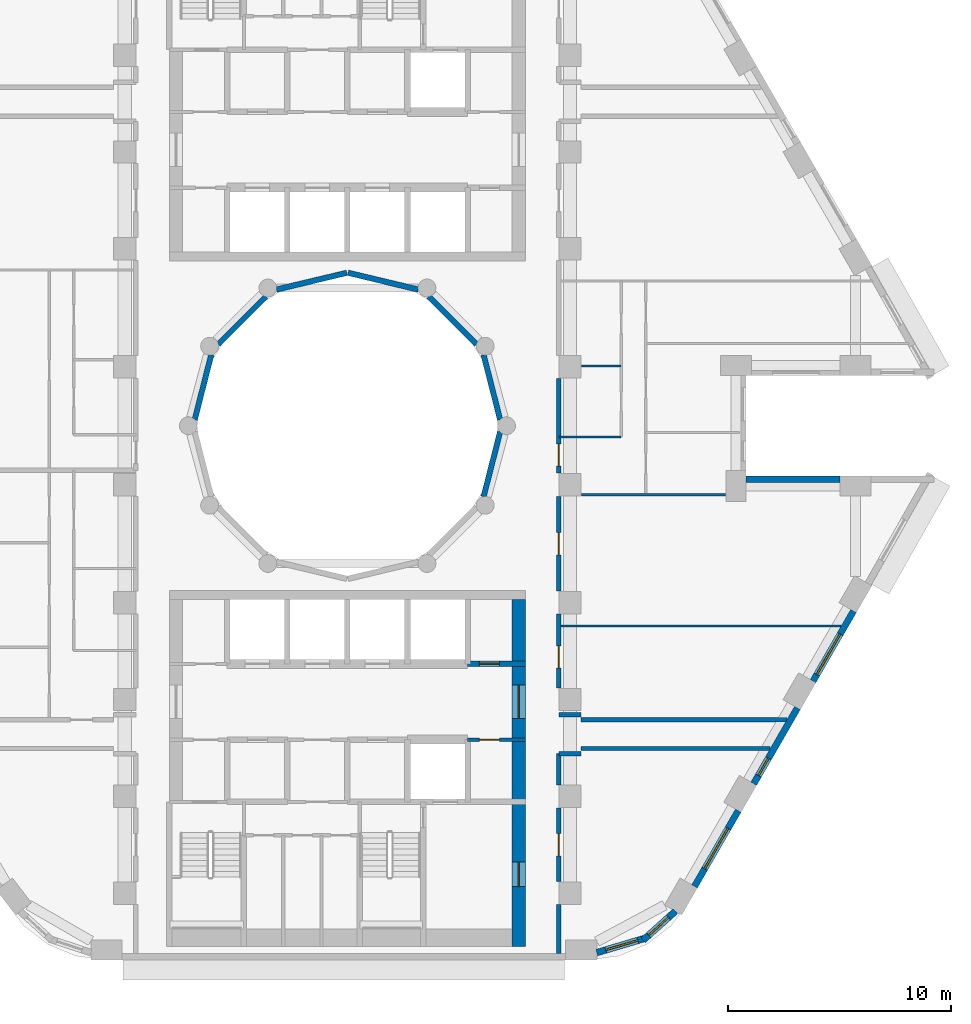
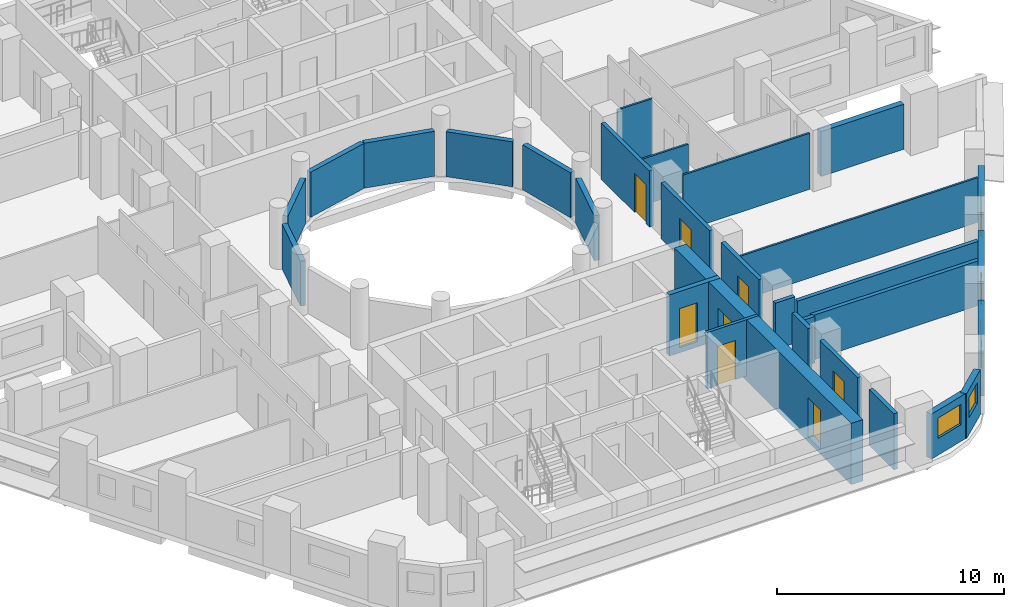
# One storey, part 5 of 12: 30 walls, 8 doors, 5 windows, 13 openings.
"""IFC4 building model written with IfcOpenShell, lengths in metres."""

import ifcopenshell
import ifcopenshell.guid

model = None  # the IFC model being written
_history = None  # IfcOwnerHistory: only IFC2X3 demands one
_inside = {}  # id of a spatial element -> (the spatial element, [elements in it])
_under = {}  # id of a project, library or spatial element -> (it, [spatial elements below it])
_declared = {}  # id of a project -> (the project, [libraries it declares])
_typed = {}  # id of a type object -> (the type object, [elements of that type])
_made_of = {}  # id of a material, layer set ... -> (it, [elements and type objects made of it])


def new_model(schema):
    """Start an empty IFC model of exactly this schema.

    Asked for "IFC4X3", IfcOpenShell would pick the latest addendum, in which some entities
    have other attributes; the version numbers below select the first issue.
    IFC2X3 requires an IfcOwnerHistory on every rooted entity: one is made here for all.
    """
    global model, _history
    if schema == "IFC4X3":
        model = ifcopenshell.file(schema_version=(4, 3, 0, 0))
    else:
        model = ifcopenshell.file(schema=schema)
    _inside.clear()
    _under.clear()
    _declared.clear()
    _typed.clear()
    _made_of.clear()
    _history = None
    if model.schema == "IFC2X3":
        org = make("IfcOrganization", Name="unknown")
        user = make(
            "IfcPersonAndOrganization",
            ThePerson=make("IfcPerson", FamilyName="unknown"),
            TheOrganization=org,
        )
        app = make(
            "IfcApplication",
            ApplicationDeveloper=org,
            Version="unknown",
            ApplicationFullName="unknown",
            ApplicationIdentifier="unknown",
        )
        _history = make(
            "IfcOwnerHistory",
            OwningUser=user,
            OwningApplication=app,
            ChangeAction="ADDED",
            CreationDate=0,
        )
    return model


def make(cls, **values):
    """One entity of the class cls with the attributes given. An attribute that is None is left unset."""
    return model.create_entity(
        cls, **{name: value for name, value in values.items() if value is not None}
    )


def rooted(cls, **values):
    """An entity with a GlobalId (a new one), such as an element, a storey or a relation."""
    return make(cls, GlobalId=ifcopenshell.guid.new(), OwnerHistory=_history, **values)


def si_unit(unit_type, name, prefix=None):
    """IfcSIUnit, for example si_unit("LENGTHUNIT", "METRE", prefix="MILLI")."""
    return make("IfcSIUnit", UnitType=unit_type, Prefix=prefix, Name=name)


def assignment(units):
    """IfcUnitAssignment: the units of a project."""
    return None if units is None else make("IfcUnitAssignment", Units=units)


def point(xyz):
    """IfcCartesianPoint."""
    return None if xyz is None else make("IfcCartesianPoint", Coordinates=xyz)


def direction(xyz):
    """IfcDirection."""
    return None if xyz is None else make("IfcDirection", DirectionRatios=xyz)


def frame(location, z_axis=None, x_axis=None):
    """IfcAxis2Placement3D, a coordinate frame: its origin and axes. An axis left out is left unset."""
    return make(
        "IfcAxis2Placement3D",
        Location=point(location),
        Axis=direction(z_axis),
        RefDirection=direction(x_axis),
    )


def frame_2d(location, x_axis=None):
    """IfcAxis2Placement2D, a coordinate frame in the plane: its origin and x axis."""
    return make(
        "IfcAxis2Placement2D", Location=point(location), RefDirection=direction(x_axis)
    )


def origin():
    """The frame at (0, 0, 0) with its axes left unset."""
    return frame((0.0, 0.0, 0.0))


def place(relative_to, where):
    """IfcLocalPlacement: puts the frame where relative to a parent placement (None: the world)."""
    return make(
        "IfcLocalPlacement", PlacementRelTo=relative_to, RelativePlacement=where
    )


def context(
    kind, dimensions, precision=None, world=None, true_north=None, identifier=None
):
    """IfcGeometricRepresentationContext, for example the 3D "Model" context."""
    return make(
        "IfcGeometricRepresentationContext",
        ContextIdentifier=identifier,
        ContextType=kind,
        CoordinateSpaceDimension=dimensions,
        Precision=precision,
        WorldCoordinateSystem=world,
        TrueNorth=true_north,
    )


def subcontext(parent, identifier, kind, view, scale=None):
    """IfcGeometricRepresentationSubContext, for example "Body" below "Model"."""
    return make(
        "IfcGeometricRepresentationSubContext",
        ContextIdentifier=identifier,
        ContextType=kind,
        ParentContext=parent,
        TargetScale=scale,
        TargetView=view,
    )


def project(units=None, contexts=None):
    """IfcProject with its units and contexts."""
    return rooted(
        "IfcProject",
        Name="project",
        RepresentationContexts=contexts,
        UnitsInContext=assignment(units),
    )


def spatial(cls, under=None, at=None, **own):
    """A site, building, storey or space (cls), placed at a placement, below another one or the project."""
    s = rooted(cls, ObjectPlacement=at, **own)
    if under is not None:
        _under.setdefault(under.id(), (under, []))[1].append(s)
    return s


def profile(cls, at=None, kind="AREA", **sizes):
    """A parametric profile (cls). Its sizes go by their IFC names, for example OverallWidth=200.0."""
    return make(cls, ProfileType=kind, Position=at, **sizes)


def rectangle(**sizes):
    """IfcRectangleProfileDef."""
    return profile("IfcRectangleProfileDef", **sizes)


def extrude(swept, where, along, depth):
    """IfcExtrudedAreaSolid: the profile swept, set in the frame where, extruded along a direction by depth."""
    return make(
        "IfcExtrudedAreaSolid",
        SweptArea=swept,
        Position=where,
        ExtrudedDirection=direction(along),
        Depth=depth,
    )


def shape(context_of_items, identifier, shape_type, items):
    """IfcShapeRepresentation: the items that make up one representation, for example the "Body"."""
    return make(
        "IfcShapeRepresentation",
        ContextOfItems=context_of_items,
        RepresentationIdentifier=identifier,
        RepresentationType=shape_type,
        Items=items,
    )


def material(Name=None, Category=None):
    """IfcMaterial."""
    return make("IfcMaterial", Name=Name, Category=Category)


def layer(
    of_material, thickness, ventilated=None, Name=None, Category=None, Priority=None
):
    """IfcMaterialLayer: one layer of a wall or slab, of a material (None: an air gap)."""
    return make(
        "IfcMaterialLayer",
        Material=of_material,
        LayerThickness=thickness,
        IsVentilated=ventilated,
        Name=Name,
        Category=Category,
        Priority=Priority,
    )


def layer_set(layers, Name=None):
    """IfcMaterialLayerSet."""
    return make("IfcMaterialLayerSet", MaterialLayers=layers, LayerSetName=Name)


def made_of(thing, what):
    """Note that an element or type object is made of a material, layer set ...; save() writes the relation."""
    if what is not None:
        _made_of.setdefault(what.id(), (what, []))[1].append(thing)
    return thing


def type_object(cls, material=None, **own):
    """A type object (cls), such as IfcWallType, which elements share."""
    return made_of(rooted(cls, **own), material)


def element(
    cls,
    number,
    at=None,
    inside=None,
    cuts=None,
    type_object=None,
    material=None,
    context=None,
    identifier="Body",
    shape_type=None,
    held_by="IfcProductDefinitionShape",
    body=None,
    shapes=None,
    **own,
):
    """One element of the class cls, such as IfcWall. Its Tag is "e" and its number.

    at: its placement. inside: the storey or other place that contains it. cuts: it is an
    opening in that element (IfcRelVoidsElement). A single representation is given by context,
    identifier, shape_type and body (its items); several are given by shapes. held_by: the class
    of the entity that holds the representations. save() writes the other relations.
    """
    e = rooted(cls, Tag="e%d" % number, ObjectPlacement=at, **own)
    if body is not None:
        shapes = [shape(context, identifier, shape_type, body)]
    if shapes is not None:
        e.Representation = make(held_by, Representations=shapes)
    if inside is not None:
        _inside.setdefault(inside.id(), (inside, []))[1].append(e)
    if cuts is not None:
        rooted(
            "IfcRelVoidsElement", RelatingBuildingElement=cuts, RelatedOpeningElement=e
        )
    if type_object is not None:
        _typed.setdefault(type_object.id(), (type_object, []))[1].append(e)
    return made_of(e, material)


def fill(opening, filler):
    """IfcRelFillsElement: the door or window that sits in an opening."""
    return rooted(
        "IfcRelFillsElement",
        RelatingOpeningElement=opening,
        RelatedBuildingElement=filler,
    )


def aggregate(whole, parts):
    """IfcRelAggregates: a whole, such as a stair, and the parts it consists of."""
    return rooted("IfcRelAggregates", RelatingObject=whole, RelatedObjects=parts)


def save(model, path):
    """Write the relations noted so far, then the file.

    IfcRelAggregates (storeys below a building ...), IfcRelContainedInSpatialStructure (elements
    in a storey), IfcRelDefinesByType, IfcRelAssociatesMaterial and IfcRelDeclares: one each for
    every whole, place, type object, material and project.
    """
    for whole, parts in _under.values():
        aggregate(whole, parts)
    for where, things in _inside.values():
        rooted(
            "IfcRelContainedInSpatialStructure",
            RelatedElements=things,
            RelatingStructure=where,
        )
    for kind, things in _typed.values():
        rooted("IfcRelDefinesByType", RelatedObjects=things, RelatingType=kind)
    for what, things in _made_of.values():
        rooted("IfcRelAssociatesMaterial", RelatedObjects=things, RelatingMaterial=what)
    for by, libraries in _declared.values():
        rooted("IfcRelDeclares", RelatingContext=by, RelatedDefinitions=libraries)
    model.write(path)


model = new_model("IFC4")

# Units and contexts
model_context = context("Model", 3, precision=1e-05, world=origin(), true_north=direction((0.0, 1.0)))
body_context = subcontext(model_context, "Body", "Model", "MODEL_VIEW")
ifc_project = project(units=[si_unit("LENGTHUNIT", "METRE"), si_unit("AREAUNIT", "SQUARE_METRE"), si_unit("VOLUMEUNIT", "CUBIC_METRE"), si_unit("PLANEANGLEUNIT", "RADIAN"), si_unit("MASSUNIT", "GRAM", prefix="KILO")], contexts=[model_context])

# Site, building, storey
site_placement = place(None, origin())
site = spatial("IfcSite", under=ifc_project, at=site_placement, CompositionType="ELEMENT")
building_placement = place(site_placement, origin())
building = spatial("IfcBuilding", under=site, at=building_placement, Name="Nakaniwa Court", CompositionType="ELEMENT")
storey_placement = place(building_placement, frame((0.0, 0.0, 97.5)))
storey = spatial("IfcBuildingStorey", under=building, at=storey_placement, Name="L25", CompositionType="ELEMENT", Elevation=97.5)

# Wall
ifc_material_1 = material(Name="Acoustic double stud partition")
ifc_layer_1 = layer(ifc_material_1, 0.199951171875)
ifc_layer_set_1 = layer_set([ifc_layer_1], Name="Acoustic double stud partition")
wall_type_1 = type_object("IfcWallType", Name="Acoustic double stud partition 200", PredefinedType="PARTITIONING", material=ifc_layer_set_1)
wall_1_placement = place(storey_placement, frame((89.5, 56.300048828125, 0.0), z_axis=(0.0, 0.0, 1.0), x_axis=(0.0, 1.0, 0.0)))
element("IfcWall", 1, at=wall_1_placement, inside=storey, type_object=wall_type_1, Name="Partition PW-069", PredefinedType="PARTITIONING", context=body_context, shape_type="SweptSolid", body=[
    extrude(rectangle(XDim=2.182861328125, YDim=0.199951171875, at=frame_2d((1.09130859375, 0.0))), origin(), (0.0, 0.0, 1.0), 3.02490234375),
])

# Wall, opening, door
wall_2_placement = place(storey_placement, frame((89.5, 62.8330078125, 0.0), z_axis=(0.0, 0.0, 1.0), x_axis=(0.0, -1.0, 0.0)))
wall_2 = element("IfcWall", 2, at=wall_2_placement, inside=storey, type_object=wall_type_1, Name="Partition PW-070", PredefinedType="PARTITIONING", context=body_context, shape_type="SweptSolid", body=[
    extrude(rectangle(XDim=3.31591796875, YDim=0.199951171875, at=frame_2d((1.657958984375, 0.0))), origin(), (0.0, 0.0, 1.0), 3.02490234375),
])
opening_1_placement = place(wall_2_placement, frame((1.157958984375, 0.0, 0.0)))
opening_1 = element("IfcOpeningElement", 3, at=opening_1_placement, cuts=wall_2, Name="Opening D-02-05", PredefinedType="OPENING", context=body_context, shape_type="SweptSolid", body=[
    extrude(rectangle(XDim=1.0, YDim=2.10009765625, at=frame_2d((0.5, 1.050048828125))), frame((0.0, 0.10986328125, 0.0), z_axis=(0.0, -1.0, 0.0), x_axis=(1.0, 0.0, 0.0)), (0.0, 0.0, 1.0), 0.219970703125),
])
ifc_material_2 = material(Name="Solid core timber door set, black veneer", Category="wood")
door_type_1 = type_object("IfcDoorType", Name="Internal door 1000", OperationType="NOTDEFINED", PredefinedType="DOOR", material=ifc_material_2)
door_1_placement = place(opening_1_placement, origin())
door_1 = element("IfcDoor", 4, at=door_1_placement, inside=storey, type_object=door_type_1, Name="Door D-02-05 L25-047", OperationType="SINGLE_SWING_RIGHT", OverallHeight=2.10009765625, OverallWidth=1.0, PredefinedType="DOOR", context=body_context, shape_type="SweptSolid", body=[
    extrude(rectangle(XDim=1.0, YDim=2.10009765625, at=frame_2d((0.5, 1.050048828125))), frame((0.0, 0.02490234375, 0.0), z_axis=(0.0, -1.0, 0.0), x_axis=(1.0, 0.0, 0.0)), (0.0, 0.0, 1.0), 0.050048828125),
])
fill(opening_1, door_1)

# Wall
wall_3_placement = place(storey_placement, frame((89.5, 63.866943359375, 0.0), z_axis=(0.0, 0.0, 1.0), x_axis=(0.0, 1.0, 0.0)))
element("IfcWall", 5, at=wall_3_placement, inside=storey, type_object=wall_type_1, Name="Partition PW-071", PredefinedType="PARTITIONING", context=body_context, shape_type="SweptSolid", body=[
    extrude(rectangle(XDim=1.4111328125, YDim=0.199951171875, at=frame_2d((0.70556640625, 0.0))), origin(), (0.0, 0.0, 1.0), 3.02490234375),
])

# Wall, opening, door
wall_4_placement = place(storey_placement, frame((89.5, 71.532958984375, 0.0), z_axis=(0.0, 0.0, 1.0), x_axis=(0.0, -1.0, 0.0)))
wall_4 = element("IfcWall", 6, at=wall_4_placement, inside=storey, type_object=wall_type_1, Name="Partition PW-072", PredefinedType="PARTITIONING", context=body_context, shape_type="SweptSolid", body=[
    extrude(rectangle(XDim=3.31591796875, YDim=0.199951171875, at=frame_2d((1.657958984375, 0.0))), origin(), (0.0, 0.0, 1.0), 3.02490234375),
])
opening_2_placement = place(wall_4_placement, frame((1.423095703125, 0.0, 0.0)))
opening_2 = element("IfcOpeningElement", 7, at=opening_2_placement, cuts=wall_4, Name="Opening D-02-06", PredefinedType="OPENING", context=body_context, shape_type="SweptSolid", body=[
    extrude(rectangle(XDim=1.0, YDim=2.10009765625, at=frame_2d((0.5, 1.050048828125))), frame((0.0, 0.10986328125, 0.0), z_axis=(0.0, -1.0, 0.0), x_axis=(1.0, 0.0, 0.0)), (0.0, 0.0, 1.0), 0.219970703125),
])
door_2_placement = place(opening_2_placement, origin())
door_2 = element("IfcDoor", 8, at=door_2_placement, inside=storey, type_object=door_type_1, Name="Door D-02-06 L25-048", OperationType="SINGLE_SWING_LEFT", OverallHeight=2.10009765625, OverallWidth=1.0, PredefinedType="DOOR", context=body_context, shape_type="SweptSolid", body=[
    extrude(rectangle(XDim=1.0, YDim=2.10009765625, at=frame_2d((0.5, 1.050048828125))), frame((0.0, 0.02490234375, 0.0), z_axis=(0.0, -1.0, 0.0), x_axis=(1.0, 0.0, 0.0)), (0.0, 0.0, 1.0), 0.050048828125),
])
fill(opening_2, door_2)

wall_5_placement = place(storey_placement, frame((89.5, 76.8330078125, 0.0), z_axis=(0.0, 0.0, 1.0), x_axis=(0.0, -1.0, 0.0)))
wall_5 = element("IfcWall", 9, at=wall_5_placement, inside=storey, type_object=wall_type_1, Name="Partition PW-073", PredefinedType="PARTITIONING", context=body_context, shape_type="SweptSolid", body=[
    extrude(rectangle(XDim=4.26611328125, YDim=0.199951171875, at=frame_2d((2.133056640625, 0.0))), origin(), (0.0, 0.0, 1.0), 3.02490234375),
])
opening_3_placement = place(wall_5_placement, frame((1.633056640625, 0.0, 0.0)))
opening_3 = element("IfcOpeningElement", 10, at=opening_3_placement, cuts=wall_5, Name="Opening D-02-01", PredefinedType="OPENING", context=body_context, shape_type="SweptSolid", body=[
    extrude(rectangle(XDim=1.0, YDim=2.10009765625, at=frame_2d((0.5, 1.050048828125))), frame((0.0, 0.10986328125, 0.0), z_axis=(0.0, -1.0, 0.0), x_axis=(1.0, 0.0, 0.0)), (0.0, 0.0, 1.0), 0.219970703125),
])
door_3_placement = place(opening_3_placement, origin())
door_3 = element("IfcDoor", 11, at=door_3_placement, inside=storey, type_object=door_type_1, Name="Door D-02-01 L25-027", OperationType="SINGLE_SWING_RIGHT", OverallHeight=2.10009765625, OverallWidth=1.0, PredefinedType="DOOR", context=body_context, shape_type="SweptSolid", body=[
    extrude(rectangle(XDim=1.0, YDim=2.10009765625, at=frame_2d((0.5, 1.050048828125))), frame((0.0, 0.02490234375, 0.0), z_axis=(0.0, -1.0, 0.0), x_axis=(1.0, 0.0, 0.0)), (0.0, 0.0, 1.0), 0.050048828125),
])
fill(opening_3, door_3)

wall_6_placement = place(storey_placement, frame((89.5, 82.133056640625, 0.0), z_axis=(0.0, 0.0, 1.0), x_axis=(0.0, -1.0, 0.0)))
wall_6 = element("IfcWall", 12, at=wall_6_placement, inside=storey, type_object=wall_type_1, Name="Partition PW-074", PredefinedType="PARTITIONING", context=body_context, shape_type="SweptSolid", body=[
    extrude(rectangle(XDim=4.26611328125, YDim=0.199951171875, at=frame_2d((2.133056640625, 0.0))), origin(), (0.0, 0.0, 1.0), 3.02490234375),
])
opening_4_placement = place(wall_6_placement, frame((2.947998046875, 0.0, 0.0)))
opening_4 = element("IfcOpeningElement", 13, at=opening_4_placement, cuts=wall_6, Name="Opening D-01-01", PredefinedType="OPENING", context=body_context, shape_type="SweptSolid", body=[
    extrude(rectangle(XDim=1.0, YDim=2.10009765625, at=frame_2d((0.5, 1.050048828125))), frame((0.0, 0.10986328125, 0.0), z_axis=(0.0, -1.0, 0.0), x_axis=(1.0, 0.0, 0.0)), (0.0, 0.0, 1.0), 0.219970703125),
])
door_type_2 = type_object("IfcDoorType", Name="Flat entrance door 1000", OperationType="NOTDEFINED", PredefinedType="DOOR", material=ifc_material_2)
door_4_placement = place(opening_4_placement, origin())
door_4 = element("IfcDoor", 14, at=door_4_placement, inside=storey, type_object=door_type_2, Name="Door D-01-01 L25-028", OperationType="SINGLE_SWING_LEFT", OverallHeight=2.10009765625, OverallWidth=1.0, PredefinedType="DOOR", context=body_context, shape_type="SweptSolid", body=[
    extrude(rectangle(XDim=1.0, YDim=2.10009765625, at=frame_2d((0.5, 1.050048828125))), frame((0.0, 0.02490234375, 0.0), z_axis=(0.0, -1.0, 0.0), x_axis=(1.0, 0.0, 0.0)), (0.0, 0.0, 1.0), 0.050048828125),
])
fill(opening_4, door_4)

# Walls
wall_7_placement = place(storey_placement, frame((90.5, 65.5, 0.0), z_axis=(0.0, 0.0, 1.0), x_axis=(1.0, 0.0, 0.0)))
element("IfcWall", 15, at=wall_7_placement, inside=storey, type_object=wall_type_1, Name="Partition PW-090", PredefinedType="PARTITIONING", context=body_context, shape_type="SweptSolid", body=[
    extrude(rectangle(XDim=8.494873046875, YDim=0.199951171875, at=frame_2d((4.24755859375, 0.0))), origin(), (0.0, 0.0, 1.0), 2.405029296875),
])
for number, where, z_axis, x_axis, name in (
    (16, (89.5, 65.27490234375, 0.0), (0.0, 0.0, 1.0), (1.0, 0.0, 0.0), "Partition PW-092"),
    (17, (89.5, 67.02490234375, 0.0), (0.0, 0.0, 1.0), (1.0, 0.0, 0.0), "Partition PW-094"),
):
    element("IfcWall", number, at=place(storey_placement, frame(where, z_axis=z_axis, x_axis=x_axis)), inside=storey, type_object=wall_type_1, Name=name, PredefinedType="PARTITIONING", context=body_context, shape_type="SweptSolid", body=[
        extrude(rectangle(XDim=1.0, YDim=0.199951171875, at=frame_2d((0.5, 0.0))), origin(), (0.0, 0.0, 1.0), 2.5048828125),
    ])
wall_8_placement = place(storey_placement, frame((90.5, 66.800048828125, 0.0), z_axis=(0.0, 0.0, 1.0), x_axis=(1.0, 0.0, 0.0)))
element("IfcWall", 18, at=wall_8_placement, inside=storey, type_object=wall_type_1, Name="Partition PW-096", PredefinedType="PARTITIONING", context=body_context, shape_type="SweptSolid", body=[
    extrude(rectangle(XDim=9.245361328125, YDim=0.199951171875, at=frame_2d((4.62255859375, 0.0))), origin(), (0.0, 0.0, 1.0), 2.405029296875),
])

# Wall, opening, window
ifc_material_3 = material(Name="Charcoal ceramic cladding")
ifc_layer_2 = layer(ifc_material_3, 0.02, Name="Ceramic cladding")
ifc_material_4 = material(Name="Ventilated air cavity")
ifc_layer_3 = layer(ifc_material_4, 0.04, ventilated=True, Name="Ventilated cavity")
ifc_material_5 = material(Name="Mineral wool insulation")
ifc_layer_4 = layer(ifc_material_5, 0.1, Name="Insulation")
ifc_material_6 = material(Name="Cement bonded sheathing board")
ifc_layer_5 = layer(ifc_material_6, 0.012, Name="Sheathing")
ifc_material_7 = material(Name="Cold-formed galvanised stud frame with mineral wool infill")
ifc_layer_6 = layer(ifc_material_7, 0.1, Name="Stud frame")
ifc_material_8 = material(Name="Fire-rated gypsum plasterboard lining")
ifc_layer_7 = layer(ifc_material_8, 0.028, Name="Lining")
ifc_layer_set_2 = layer_set([ifc_layer_2, ifc_layer_3, ifc_layer_4, ifc_layer_5, ifc_layer_6, ifc_layer_7], Name="Charcoal ceramic faced external wall system")
wall_type_2 = type_object("IfcWallType", Name="Black ceramic faced external wall 300", PredefinedType="SOLIDWALL", material=ifc_layer_set_2)
wall_9_placement = place(storey_placement, frame((91.203369140625, 56.329833984375, 0.0), z_axis=(0.0, 0.0, 1.0), x_axis=(0.95847736903, 0.285168604614, 0.0)))
wall_9 = element("IfcWall", 19, at=wall_9_placement, inside=storey, type_object=wall_type_2, Name="L25 external wall 27", PredefinedType="SOLIDWALL", context=body_context, shape_type="SweptSolid", body=[
    extrude(rectangle(XDim=2.261962890625, YDim=0.300048828125, at=frame_2d((1.130859375, 0.0))), origin(), (0.0, 0.0, 1.0), 2.425048828125),
])
opening_5_placement = place(wall_9_placement, frame((0.418701171875, 0.0, 0.89990234375)))
opening_5 = element("IfcOpeningElement", 20, at=opening_5_placement, cuts=wall_9, Name="Opening W5.29", PredefinedType="OPENING", context=body_context, shape_type="SweptSolid", body=[
    extrude(rectangle(XDim=1.5, YDim=1.10009765625, at=frame_2d((0.75, 0.550048828125))), frame((0.0, 0.159912109375, 0.0), z_axis=(0.0, -1.0, 0.0), x_axis=(1.0, 0.0, 0.0)), (0.0, 0.0, 1.0), 0.320068359375),
])
ifc_material_9 = material(Name="Black anodised aluminium frame with dark low-E laminated double glazing", Category="aluminium")
window_type_1 = type_object("IfcWindowType", Name="Dark glass window 1500x1100 sill 900", PartitioningType="SINGLE_PANEL", PredefinedType="WINDOW", material=ifc_material_9)
window_1_placement = place(opening_5_placement, origin())
window_1 = element("IfcWindow", 21, at=window_1_placement, inside=storey, type_object=window_type_1, Name="L25 habitable room window 27-0", OverallHeight=1.10009765625, OverallWidth=1.5, PartitioningType="SINGLE_PANEL", PredefinedType="WINDOW", context=body_context, shape_type="SweptSolid", body=[
    extrude(rectangle(XDim=1.5, YDim=1.10009765625, at=frame_2d((0.75, 0.550048828125))), frame((0.0, 0.030029296875, 0.0), z_axis=(0.0, -1.0, 0.0), x_axis=(1.0, 0.0, 0.0)), (0.0, 0.0, 1.0), 0.06005859375),
])
fill(opening_5, window_1)

wall_10_placement = place(storey_placement, frame((93.283447265625, 56.88671875, 0.0), z_axis=(0.0, 0.0, 1.0), x_axis=(0.743785734967, 0.668418117992, 0.0)))
wall_10 = element("IfcWall", 22, at=wall_10_placement, inside=storey, type_object=wall_type_2, Name="L25 external wall 28", PredefinedType="SOLIDWALL", context=body_context, shape_type="SweptSolid", body=[
    extrude(rectangle(XDim=1.9501953125, YDim=0.300048828125, at=frame_2d((0.97509765625, 0.0))), origin(), (0.0, 0.0, 1.0), 2.425048828125),
])
opening_6_placement = place(wall_10_placement, frame((0.334716796875, 0.0, 0.89990234375)))
opening_6 = element("IfcOpeningElement", 23, at=opening_6_placement, cuts=wall_10, Name="Opening W6.30", PredefinedType="OPENING", context=body_context, shape_type="SweptSolid", body=[
    extrude(rectangle(XDim=1.199951171875, YDim=1.10009765625, at=frame_2d((0.60009765625, 0.550048828125))), frame((0.0, 0.159912109375, 0.0), z_axis=(0.0, -1.0, 0.0), x_axis=(1.0, 0.0, 0.0)), (0.0, 0.0, 1.0), 0.320068359375),
])
window_type_2 = type_object("IfcWindowType", Name="Dark glass window 1200x1100 sill 900", PartitioningType="SINGLE_PANEL", PredefinedType="WINDOW", material=ifc_material_9)
window_2_placement = place(opening_6_placement, origin())
window_2 = element("IfcWindow", 24, at=window_2_placement, inside=storey, type_object=window_type_2, Name="L25 habitable room window 28-0", OverallHeight=1.10009765625, OverallWidth=1.199951171875, PartitioningType="SINGLE_PANEL", PredefinedType="WINDOW", context=body_context, shape_type="SweptSolid", body=[
    extrude(rectangle(XDim=1.199951171875, YDim=1.10009765625, at=frame_2d((0.60009765625, 0.550048828125))), frame((0.0, 0.030029296875, 0.0), z_axis=(0.0, -1.0, 0.0), x_axis=(1.0, 0.0, 0.0)), (0.0, 0.0, 1.0), 0.06005859375),
])
fill(opening_6, window_2)

wall_11_placement = place(storey_placement, frame((95.59033203125, 59.30322265625, 0.0), z_axis=(0.0, 0.0, 1.0), x_axis=(0.500003583557, 0.866023334807, 0.0)))
wall_11 = element("IfcWall", 25, at=wall_11_placement, inside=storey, type_object=wall_type_2, Name="L25 external wall 29", PredefinedType="SOLIDWALL", context=body_context, shape_type="SweptSolid", body=[
    extrude(rectangle(XDim=3.93408203125, YDim=0.300048828125, at=frame_2d((1.967041015625, 0.0))), origin(), (0.0, 0.0, 1.0), 2.425048828125),
])
opening_7_placement = place(wall_11_placement, frame((0.9169921875, 0.0, 0.89990234375)))
opening_7 = element("IfcOpeningElement", 26, at=opening_7_placement, cuts=wall_11, Name="Opening W7.31", PredefinedType="OPENING", context=body_context, shape_type="SweptSolid", body=[
    extrude(rectangle(XDim=2.10009765625, YDim=1.10009765625, at=frame_2d((1.050048828125, 0.550048828125))), frame((0.0, 0.159912109375, 0.0), z_axis=(0.0, -1.0, 0.0), x_axis=(1.0, 0.0, 0.0)), (0.0, 0.0, 1.0), 0.320068359375),
])
window_type_3 = type_object("IfcWindowType", Name="Dark glass window 2100x1100 sill 900", PartitioningType="SINGLE_PANEL", PredefinedType="WINDOW", material=ifc_material_9)
window_3_placement = place(opening_7_placement, origin())
window_3 = element("IfcWindow", 27, at=window_3_placement, inside=storey, type_object=window_type_3, Name="L25 habitable room window 29-0", OverallHeight=1.10009765625, OverallWidth=2.10009765625, PartitioningType="SINGLE_PANEL", PredefinedType="WINDOW", context=body_context, shape_type="SweptSolid", body=[
    extrude(rectangle(XDim=2.10009765625, YDim=1.10009765625, at=frame_2d((1.050048828125, 0.550048828125))), frame((0.0, 0.030029296875, 0.0), z_axis=(0.0, -1.0, 0.0), x_axis=(1.0, 0.0, 0.0)), (0.0, 0.0, 1.0), 0.06005859375),
])
fill(opening_7, window_3)

wall_12_placement = place(storey_placement, frame((98.25341796875, 63.91552734375, 0.0), z_axis=(0.0, 0.0, 1.0), x_axis=(0.499957037901, 0.866050206543, 0.0)))
wall_12 = element("IfcWall", 28, at=wall_12_placement, inside=storey, type_object=wall_type_2, Name="L25 external wall 30", PredefinedType="SOLIDWALL", context=body_context, shape_type="SweptSolid", body=[
    extrude(rectangle(XDim=3.933837890625, YDim=0.300048828125, at=frame_2d((1.966796875, 0.0))), origin(), (0.0, 0.0, 1.0), 2.425048828125),
])
opening_8_placement = place(wall_12_placement, frame((0.427734375, 0.0, 0.89990234375)))
opening_8 = element("IfcOpeningElement", 29, at=opening_8_placement, cuts=wall_12, Name="Opening W9.32", PredefinedType="OPENING", context=body_context, shape_type="SweptSolid", body=[
    extrude(rectangle(XDim=0.89990234375, YDim=1.10009765625, at=frame_2d((0.449951171875, 0.550048828125))), frame((0.0, 0.159912109375, 0.0), z_axis=(0.0, -1.0, 0.0), x_axis=(1.0, 0.0, 0.0)), (0.0, 0.0, 1.0), 0.320068359375),
])
window_type_4 = type_object("IfcWindowType", Name="Dark glass window 900x1100 sill 900", PartitioningType="SINGLE_PANEL", PredefinedType="WINDOW", material=ifc_material_9)
window_4_placement = place(opening_8_placement, origin())
window_4 = element("IfcWindow", 30, at=window_4_placement, inside=storey, type_object=window_type_4, Name="L25 habitable room window 30-0", OverallHeight=1.10009765625, OverallWidth=0.89990234375, PartitioningType="SINGLE_PANEL", PredefinedType="WINDOW", context=body_context, shape_type="SweptSolid", body=[
    extrude(rectangle(XDim=0.89990234375, YDim=1.10009765625, at=frame_2d((0.449951171875, 0.550048828125))), frame((0.0, 0.030029296875, 0.0), z_axis=(0.0, -1.0, 0.0), x_axis=(1.0, 0.0, 0.0)), (0.0, 0.0, 1.0), 0.06005859375),
])
fill(opening_8, window_4)

wall_13_placement = place(storey_placement, frame((100.916259765625, 68.528076171875, 0.0), z_axis=(0.0, 0.0, 1.0), x_axis=(0.500009139881, 0.866020126807, 0.0)))
wall_13 = element("IfcWall", 31, at=wall_13_placement, inside=storey, type_object=wall_type_2, Name="L25 external wall 31", PredefinedType="SOLIDWALL", context=body_context, shape_type="SweptSolid", body=[
    extrude(rectangle(XDim=3.63671875, YDim=0.300048828125, at=frame_2d((1.818359375, 0.0))), origin(), (0.0, 0.0, 1.0), 2.425048828125),
])
opening_9_placement = place(wall_13_placement, frame((0.340087890625, 0.0, 0.89990234375)))
opening_9 = element("IfcOpeningElement", 32, at=opening_9_placement, cuts=wall_13, Name="Opening W7.33", PredefinedType="OPENING", context=body_context, shape_type="SweptSolid", body=[
    extrude(rectangle(XDim=2.10009765625, YDim=1.10009765625, at=frame_2d((1.050048828125, 0.550048828125))), frame((0.0, 0.159912109375, 0.0), z_axis=(0.0, -1.0, 0.0), x_axis=(1.0, 0.0, 0.0)), (0.0, 0.0, 1.0), 0.320068359375),
])
window_5_placement = place(opening_9_placement, origin())
window_5 = element("IfcWindow", 33, at=window_5_placement, inside=storey, type_object=window_type_3, Name="L25 habitable room window 31-0", OverallHeight=1.10009765625, OverallWidth=2.10009765625, PartitioningType="SINGLE_PANEL", PredefinedType="WINDOW", context=body_context, shape_type="SweptSolid", body=[
    extrude(rectangle(XDim=2.10009765625, YDim=1.10009765625, at=frame_2d((1.050048828125, 0.550048828125))), frame((0.0, 0.030029296875, 0.0), z_axis=(0.0, -1.0, 0.0), x_axis=(1.0, 0.0, 0.0)), (0.0, 0.0, 1.0), 0.06005859375),
])
fill(opening_9, window_5)

# Wall
wall_14_placement = place(storey_placement, frame((102.126953125, 77.60009765625, 0.0), z_axis=(0.0, 0.0, 1.0), x_axis=(-1.0, 0.0, 0.0)))
element("IfcWall", 34, at=wall_14_placement, inside=storey, type_object=wall_type_2, Name="L25 external wall 34", PredefinedType="SOLIDWALL", context=body_context, shape_type="SweptSolid", body=[
    extrude(rectangle(XDim=4.22265625, YDim=0.300048828125, at=frame_2d((2.111328125, 0.0))), origin(), (0.0, 0.0, 1.0), 2.425048828125),
])

# Wall, opening, door
ifc_material_10 = material(Name="Blockwork partition", Category="masonry")
ifc_layer_8 = layer(ifc_material_10, 0.14990234375)
ifc_layer_set_3 = layer_set([ifc_layer_8], Name="Blockwork partition")
wall_type_3 = type_object("IfcWallType", Name="Blockwork partition 150", PredefinedType="PARTITIONING", material=ifc_layer_set_3)
wall_15_placement = place(storey_placement, frame((88.0, 65.89990234375, 0.0), z_axis=(0.0, 0.0, 1.0), x_axis=(-1.0, 0.0, 0.0)))
wall_15 = element("IfcWall", 35, at=wall_15_placement, inside=storey, type_object=wall_type_3, Name="Partition PW-052", PredefinedType="PARTITIONING", context=body_context, shape_type="SweptSolid", body=[
    extrude(rectangle(XDim=2.60302734375, YDim=0.14990234375, at=frame_2d((1.301513671875, 0.0))), origin(), (0.0, 0.0, 1.0), 3.02490234375),
])
opening_10_placement = place(wall_15_placement, frame((1.175048828125, 0.0, 0.0)))
opening_10 = element("IfcOpeningElement", 36, at=opening_10_placement, cuts=wall_15, Name="Opening D-05-13", PredefinedType="OPENING", context=body_context, shape_type="SweptSolid", body=[
    extrude(rectangle(XDim=0.89990234375, YDim=2.10009765625, at=frame_2d((0.449951171875, 1.050048828125))), frame((0.0, 0.0849609375, 0.0), z_axis=(0.0, -1.0, 0.0), x_axis=(1.0, 0.0, 0.0)), (0.0, 0.0, 1.0), 0.169921875),
])
ifc_material_11 = material(Name="Fire rated steel door set", Category="steel")
door_type_3 = type_object("IfcDoorType", Name="Service room door 900", OperationType="NOTDEFINED", PredefinedType="DOOR", material=ifc_material_11)
door_5_placement = place(opening_10_placement, origin())
door_5 = element("IfcDoor", 37, at=door_5_placement, inside=storey, type_object=door_type_3, Name="Door D-05-13 L25-020", OperationType="SINGLE_SWING_LEFT", OverallHeight=2.10009765625, OverallWidth=0.89990234375, PredefinedType="DOOR", context=body_context, shape_type="SweptSolid", body=[
    extrude(rectangle(XDim=0.89990234375, YDim=2.10009765625, at=frame_2d((0.449951171875, 1.050048828125))), frame((0.0, 0.02490234375, 0.0), z_axis=(0.0, -1.0, 0.0), x_axis=(1.0, 0.0, 0.0)), (0.0, 0.0, 1.0), 0.050048828125),
])
fill(opening_10, door_5)

# Walls
ifc_layer_9 = layer(ifc_material_3, 0.02, Name="Ceramic cladding")
ifc_layer_10 = layer(ifc_material_4, 0.04, ventilated=True, Name="Ventilated cavity")
ifc_layer_11 = layer(ifc_material_5, 0.075, Name="Insulation")
ifc_layer_12 = layer(ifc_material_6, 0.012, Name="Sheathing")
ifc_layer_13 = layer(ifc_material_7, 0.075, Name="Stud frame")
ifc_layer_14 = layer(ifc_material_8, 0.028, Name="Lining")
ifc_layer_set_4 = layer_set([ifc_layer_9, ifc_layer_10, ifc_layer_11, ifc_layer_12, ifc_layer_13, ifc_layer_14], Name="Charcoal ceramic faced external wall system")
wall_type_4 = type_object("IfcWallType", Name="Charcoal ceramic faced well wall 250", PredefinedType="SOLIDWALL", material=ifc_layer_set_4)
for number, where, z_axis, x_axis, name in (
    (38, (86.8603515625, 79.72998046875, 0.0), (0.0, 0.0, 1.0), (-0.247055971283, -0.969001211069, 0.0), "L25 external wall 36"),
    (39, (73.1396484375, 80.27001953125, 0.0), (0.0, 0.0, 1.0), (0.247055971283, 0.969001211069, 0.0), "L25 external wall 42"),
):
    element("IfcWall", number, at=place(storey_placement, frame(where, z_axis=z_axis, x_axis=x_axis)), inside=storey, type_object=wall_type_4, Name=name, PredefinedType="SOLIDWALL", context=body_context, shape_type="SweptSolid", body=[
        extrude(rectangle(XDim=3.010009765625, YDim=0.25, at=frame_2d((1.5048828125, 0.0))), origin(), (0.0, 0.0, 1.0), 2.425048828125),
    ])
wall_16_placement = place(storey_placement, frame((74.1943359375, 83.660888671875, 0.0), z_axis=(0.0, 0.0, 1.0), x_axis=(0.707106781187, 0.707106781187, 0.0)))
element("IfcWall", 40, at=wall_16_placement, inside=storey, type_object=wall_type_4, Name="L25 external wall 43", PredefinedType="SOLIDWALL", context=body_context, shape_type="SweptSolid", body=[
    extrude(rectangle(XDim=3.033203125, YDim=0.25, at=frame_2d((1.5166015625, 0.0))), origin(), (0.0, 0.0, 1.0), 2.425048828125),
])
for number, where, z_axis, x_axis, name in (
    (41, (76.813720703125, 86.119384765625, 0.0), (0.0, 0.0, 1.0), (0.972773113459, 0.231759508395, 0.0), "L25 external wall 44"),
    (42, (80.029052734375, 86.87158203125, 0.0), (0.0, 0.0, 1.0), (0.972773113459, -0.231759508395, 0.0), "L25 external wall 45"),
):
    element("IfcWall", number, at=place(storey_placement, frame(where, z_axis=z_axis, x_axis=x_axis)), inside=storey, type_object=wall_type_4, Name=name, PredefinedType="SOLIDWALL", context=body_context, shape_type="SweptSolid", body=[
        extrude(rectangle(XDim=3.24560546875, YDim=0.25, at=frame_2d((1.622802734375, 0.0))), origin(), (0.0, 0.0, 1.0), 2.425048828125),
    ])
wall_17_placement = place(storey_placement, frame((83.660888671875, 85.8056640625, 0.0), z_axis=(0.0, 0.0, 1.0), x_axis=(0.707106781187, -0.707106781187, 0.0)))
element("IfcWall", 43, at=wall_17_placement, inside=storey, type_object=wall_type_4, Name="L25 external wall 46", PredefinedType="SOLIDWALL", context=body_context, shape_type="SweptSolid", body=[
    extrude(rectangle(XDim=3.033203125, YDim=0.25, at=frame_2d((1.5166015625, 0.0))), origin(), (0.0, 0.0, 1.0), 2.425048828125),
])
wall_18_placement = place(storey_placement, frame((86.11669921875, 83.186767578125, 0.0), z_axis=(0.0, 0.0, 1.0), x_axis=(0.247055971283, -0.969001211069, 0.0)))
element("IfcWall", 44, at=wall_18_placement, inside=storey, type_object=wall_type_4, Name="L25 external wall 47", PredefinedType="SOLIDWALL", context=body_context, shape_type="SweptSolid", body=[
    extrude(rectangle(XDim=3.010009765625, YDim=0.25, at=frame_2d((1.5048828125, 0.0))), origin(), (0.0, 0.0, 1.0), 2.425048828125),
])

# Wall, openings, doors
ifc_material_12 = material(Name="Concrete C80/100", Category="concrete")
ifc_layer_15 = layer(ifc_material_12, 0.60009765625)
ifc_layer_set_5 = layer_set([ifc_layer_15], Name="Concrete C80/100")
wall_type_5 = type_object("IfcWallType", Name="Concrete core side wall 600 C80", PredefinedType="SHEAR", material=ifc_layer_set_5)
wall_19_placement = place(storey_placement, frame((87.699951171875, 72.199951171875, -0.27490234375), z_axis=(0.0, 0.0, 1.0), x_axis=(0.0, -1.0, 0.0)))
wall_19 = element("IfcWall", 45, at=wall_19_placement, inside=storey, type_object=wall_type_5, Name="Core wall SW-49", PredefinedType="SHEAR", context=body_context, shape_type="SweptSolid", body=[
    extrude(rectangle(XDim=15.599853515625, YDim=0.60009765625, at=frame_2d((7.7998046875, 0.0))), origin(), (0.0, 0.0, 1.0), 3.2998046875),
])
opening_11_placement = place(wall_19_placement, frame((3.85009765625, 0.0, 0.27490234375)))
opening_11 = element("IfcOpeningElement", 46, at=opening_11_placement, cuts=wall_19, Name="Opening D-07-03", PredefinedType="OPENING", context=body_context, shape_type="SweptSolid", body=[
    extrude(rectangle(XDim=1.5, YDim=2.10009765625, at=frame_2d((0.75, 1.050048828125))), frame((0.0, 0.31005859375, 0.0), z_axis=(0.0, -1.0, 0.0), x_axis=(1.0, 0.0, 0.0)), (0.0, 0.0, 1.0), 0.6201171875),
])
opening_12_placement = place(wall_19_placement, frame((11.800048828125, 0.0, 0.27490234375)))
opening_12 = element("IfcOpeningElement", 47, at=opening_12_placement, cuts=wall_19, Name="Opening D-10-02", PredefinedType="OPENING", context=body_context, shape_type="SweptSolid", body=[
    extrude(rectangle(XDim=1.10009765625, YDim=2.10009765625, at=frame_2d((0.550048828125, 1.050048828125))), frame((0.0, 0.31005859375, 0.0), z_axis=(0.0, -1.0, 0.0), x_axis=(1.0, 0.0, 0.0)), (0.0, 0.0, 1.0), 0.6201171875),
])
door_type_4 = type_object("IfcDoorType", Name="Firefighting lobby door 1100", OperationType="NOTDEFINED", PredefinedType="DOOR", material=ifc_material_11)
door_6_placement = place(opening_12_placement, origin())
door_6 = element("IfcDoor", 48, at=door_6_placement, inside=storey, type_object=door_type_4, Name="Door D-10-02 L25-056", OperationType="SINGLE_SWING_LEFT", OverallHeight=2.10009765625, OverallWidth=1.10009765625, PredefinedType="DOOR", context=body_context, shape_type="SweptSolid", body=[
    extrude(rectangle(XDim=1.10009765625, YDim=2.10009765625, at=frame_2d((0.550048828125, 1.050048828125))), frame((0.0, 0.02490234375, 0.0), z_axis=(0.0, -1.0, 0.0), x_axis=(1.0, 0.0, 0.0)), (0.0, 0.0, 1.0), 0.050048828125),
])
fill(opening_12, door_6)
ifc_material_13 = material(Name="Glazed fire rated steel double door set", Category="steel")
door_type_5 = type_object("IfcDoorType", Name="Lobby double door 1500", OperationType="NOTDEFINED", PredefinedType="DOOR", material=ifc_material_13)
door_7_placement = place(opening_11_placement, origin())
door_7 = element("IfcDoor", 49, at=door_7_placement, inside=storey, type_object=door_type_5, Name="Door D-07-03 L25-054", OperationType="DOUBLE_DOOR_SINGLE_SWING", OverallHeight=2.10009765625, OverallWidth=1.5, PredefinedType="DOOR", context=body_context, shape_type="SweptSolid", body=[
    extrude(rectangle(XDim=1.5, YDim=2.10009765625, at=frame_2d((0.75, 1.050048828125))), frame((0.0, 0.02490234375, 0.0), z_axis=(0.0, -1.0, 0.0), x_axis=(1.0, 0.0, 0.0)), (0.0, 0.0, 1.0), 0.050048828125),
])
fill(opening_11, door_7)

# Wall, opening, door
ifc_layer_16 = layer(ifc_material_12, 0.25)
ifc_layer_set_6 = layer_set([ifc_layer_16], Name="Concrete C80/100")
wall_type_6 = type_object("IfcWallType", Name="Concrete shaft wall 250 C80", PredefinedType="SHEAR", material=ifc_layer_set_6)
wall_20_placement = place(storey_placement, frame((85.39990234375, 69.300048828125, -0.27490234375), z_axis=(0.0, 0.0, 1.0), x_axis=(1.0, 0.0, 0.0)))
wall_20 = element("IfcWall", 50, at=wall_20_placement, inside=storey, type_object=wall_type_6, Name="Core wall SW-48", PredefinedType="SHEAR", context=body_context, shape_type="SweptSolid", body=[
    extrude(rectangle(XDim=2.60009765625, YDim=0.25, at=frame_2d((1.300048828125, 0.0))), origin(), (0.0, 0.0, 1.0), 3.2998046875),
])
opening_13_placement = place(wall_20_placement, frame((0.52490234375, 0.0, 0.27490234375)))
opening_13 = element("IfcOpeningElement", 51, at=opening_13_placement, cuts=wall_20, Name="Opening D-05-10", PredefinedType="OPENING", context=body_context, shape_type="SweptSolid", body=[
    extrude(rectangle(XDim=0.89990234375, YDim=2.10009765625, at=frame_2d((0.449951171875, 1.050048828125))), frame((0.0, 0.135009765625, 0.0), z_axis=(0.0, -1.0, 0.0), x_axis=(1.0, 0.0, 0.0)), (0.0, 0.0, 1.0), 0.27001953125),
])
door_8_placement = place(opening_13_placement, origin())
door_8 = element("IfcDoor", 52, at=door_8_placement, inside=storey, type_object=door_type_3, Name="Door D-05-10 L25-015", OperationType="SINGLE_SWING_RIGHT", OverallHeight=2.10009765625, OverallWidth=0.89990234375, PredefinedType="DOOR", context=body_context, shape_type="SweptSolid", body=[
    extrude(rectangle(XDim=0.89990234375, YDim=2.10009765625, at=frame_2d((0.449951171875, 1.050048828125))), frame((0.0, 0.02490234375, 0.0), z_axis=(0.0, -1.0, 0.0), x_axis=(1.0, 0.0, 0.0)), (0.0, 0.0, 1.0), 0.050048828125),
])
fill(opening_13, door_8)

# Walls
ifc_material_14 = material(Name="Single stud plasterboard partition")
ifc_layer_17 = layer(ifc_material_14, 0.10009765625)
ifc_layer_set_7 = layer_set([ifc_layer_17], Name="Single stud plasterboard partition")
wall_type_7 = type_object("IfcWallType", Name="Single stud plasterboard partition 100", PredefinedType="PARTITIONING", material=ifc_layer_set_7)
wall_21_placement = place(storey_placement, frame((90.52001953125, 76.89990234375, 0.0), z_axis=(0.0, 0.0, 1.0), x_axis=(1.0, 0.0, 0.0)))
element("IfcWall", 53, at=wall_21_placement, inside=storey, type_object=wall_type_7, Name="Partition PW-109", PredefinedType="PARTITIONING", context=body_context, shape_type="SweptSolid", body=[
    extrude(rectangle(XDim=6.46826171875, YDim=0.10009765625, at=frame_2d((3.234130859375, 0.0))), origin(), (0.0, 0.0, 1.0), 3.02490234375),
])
wall_22_placement = place(storey_placement, frame((89.5, 71.0, 0.0), z_axis=(0.0, 0.0, 1.0), x_axis=(1.0, 0.0, 0.0)))
element("IfcWall", 54, at=wall_22_placement, inside=storey, type_object=wall_type_7, Name="Partition PW-110", PredefinedType="PARTITIONING", context=body_context, shape_type="SweptSolid", body=[
    extrude(rectangle(XDim=12.670166015625, YDim=0.10009765625, at=frame_2d((6.3349609375, 0.0))), origin(), (0.0, 0.0, 1.0), 2.405029296875),
])
wall_23_placement = place(storey_placement, frame((90.52001953125, 82.681884765625, 0.0), z_axis=(0.0, 0.0, 1.0), x_axis=(1.0, 0.0, 0.0)))
element("IfcWall", 55, at=wall_23_placement, inside=storey, type_object=wall_type_7, Name="Partition PW-111", PredefinedType="PARTITIONING", context=body_context, shape_type="SweptSolid", body=[
    extrude(rectangle(XDim=1.780029296875, YDim=0.10009765625, at=frame_2d((0.89013671875, 0.0))), origin(), (0.0, 0.0, 1.0), 3.02490234375),
])
wall_24_placement = place(storey_placement, frame((89.5, 79.5, 0.0), z_axis=(0.0, 0.0, 1.0), x_axis=(1.0, 0.0, 0.0)))
element("IfcWall", 56, at=wall_24_placement, inside=storey, type_object=wall_type_7, Name="Partition PW-112", PredefinedType="PARTITIONING", context=body_context, shape_type="SweptSolid", body=[
    extrude(rectangle(XDim=2.800048828125, YDim=0.10009765625, at=frame_2d((1.39990234375, 0.0))), origin(), (0.0, 0.0, 1.0), 2.5048828125),
])

save(model, "model.ifc")
